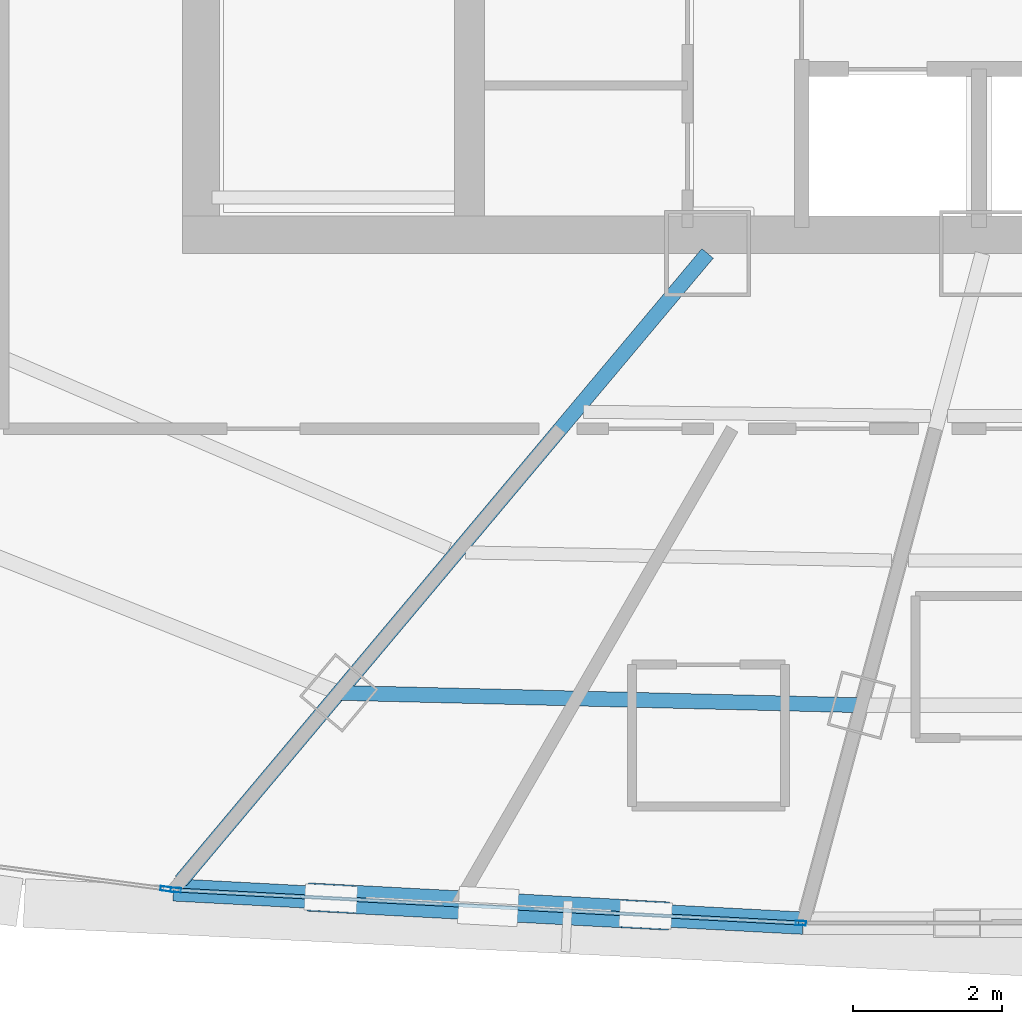
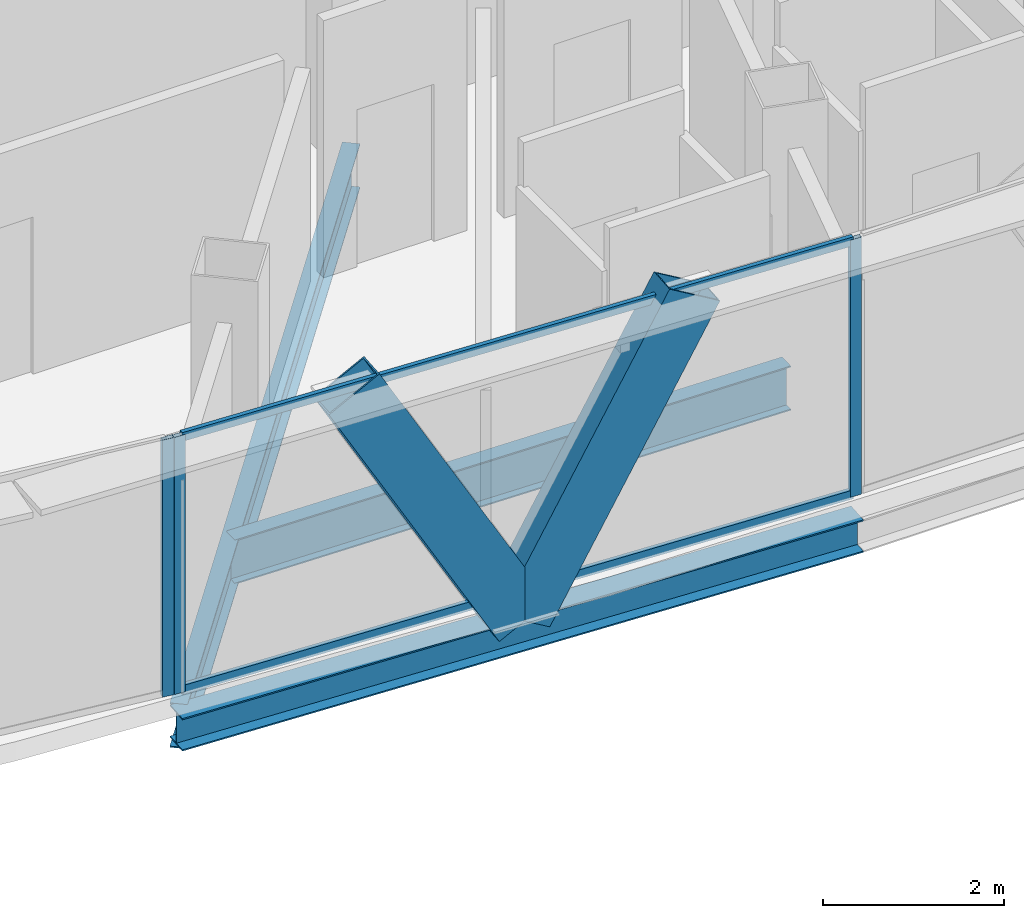
# One storey, part 6 of 37: 7 members, 3 beams, 2 elements without a shape of their own.
"""IFC4 building model written with IfcOpenShell, lengths in metres."""

from ifc_helpers import new_model, si_unit, direction, frame, origin, origin_2d, place, context, subcontext, project, spatial, hollow_rectangle, i_section, extrude, source, transform, mapped, material, layer, layer_set, material_profile, profile_set, type_object, element, aggregate, save


model = new_model("IFC4")

# Units and contexts
model_context = context("Model", 3, precision=1e-05, world=origin(), true_north=direction((0.0, 1.0)))
body_context = subcontext(model_context, "Body", "Model", "MODEL_VIEW")
ifc_project = project(units=[si_unit("LENGTHUNIT", "METRE"), si_unit("AREAUNIT", "SQUARE_METRE"), si_unit("VOLUMEUNIT", "CUBIC_METRE"), si_unit("PLANEANGLEUNIT", "RADIAN"), si_unit("MASSUNIT", "GRAM", prefix="KILO"), si_unit("THERMODYNAMICTEMPERATUREUNIT", "KELVIN"), si_unit("POWERUNIT", "WATT")], contexts=[model_context])

# Site, building, storey
site_placement = place(None, origin())
site = spatial("IfcSite", under=ifc_project, at=site_placement, CompositionType="ELEMENT")
building_placement = place(site_placement, origin())
building = spatial("IfcBuilding", under=site, at=building_placement, Name="Yunzhuo Pagoda Commons", CompositionType="ELEMENT")
storey_placement = place(building_placement, frame((0.0, 0.0, 281.2900390625)))
storey = spatial("IfcBuildingStorey", under=building, at=storey_placement, Name="L70", CompositionType="ELEMENT", Elevation=281.2900390625)

# Beams
ifc_material_1 = material(Name="Structural steel Q355B", Category="steel")
ifc_material_profile_1 = material_profile(ifc_material_1, i_section(OverallWidth=0.300048828125, OverallDepth=0.43994140625, WebThickness=0.010986328125, FlangeThickness=0.01806640625, at=origin_2d()), Name="Structural steel Q355B")
ifc_profile_set_1 = profile_set([ifc_material_profile_1], Name="Structural steel Q355B")
beam_type_1 = type_object("IfcBeamType", Name="B-SP2 Beam HM 440x300x11x18", PredefinedType="BEAM", material=ifc_profile_set_1)
shared_shape_1 = source(origin(), body_context, "Body", "SweptSolid", [
    extrude(i_section(OverallWidth=0.300048828125, OverallDepth=0.43994140625, WebThickness=0.010986328125, FlangeThickness=0.01806640625, at=origin_2d()), origin(), (0.0, 0.0, 1.0), 8.447021484375),
])
beam_1_placement = place(storey_placement, frame((35.431640625, 18.72119140625, -0.47998046875), z_axis=(0.99860638853, -0.05277575947, 0.0), x_axis=(0.05277575947, 0.99860638853, 0.0)))
element("IfcBeam", 1, at=beam_1_placement, inside=storey, type_object=beam_type_1, Name="L70 facade edge spandrel beam F1.1", PredefinedType="BEAM", context=body_context, shape_type="MappedRepresentation", body=[
    mapped(shared_shape_1, transform((0.0, 0.0, 0.0), scale=1.0)),
])
ifc_material_profile_2 = material_profile(ifc_material_1, i_section(OverallWidth=0.199951171875, OverallDepth=0.60009765625, WebThickness=0.010986328125, FlangeThickness=0.01708984375, at=origin_2d()), Name="Structural steel Q355B")
ifc_profile_set_2 = profile_set([ifc_material_profile_2], Name="Structural steel Q355B")
beam_type_2 = type_object("IfcBeamType", Name="B-RG3 Beam HN 600x200x11x17", PredefinedType="BEAM", material=ifc_profile_set_2)
shared_shape_2 = source(origin(), body_context, "Body", "SweptSolid", [
    extrude(i_section(OverallWidth=0.199951171875, OverallDepth=0.60009765625, WebThickness=0.010986328125, FlangeThickness=0.01708984375, at=origin_2d()), origin(), (0.0, 0.0, 1.0), 10.978515625),
])
beam_2_placement = place(storey_placement, frame((35.531005859375, 18.840087890625, -0.559814453125), z_axis=(0.642794591419, 0.766038584695, 0.0), x_axis=(-0.766038584695, 0.642794591419, 0.0)))
element("IfcBeam", 2, at=beam_2_placement, inside=storey, type_object=beam_type_2, Name="L70 radial floor girder F1C1", PredefinedType="BEAM", context=body_context, shape_type="MappedRepresentation", body=[
    mapped(shared_shape_2, transform((0.0, 0.0, 0.0), scale=1.0)),
])
shared_shape_3 = source(origin(), body_context, "Body", "SweptSolid", [
    extrude(i_section(OverallWidth=0.199951171875, OverallDepth=0.60009765625, WebThickness=0.010986328125, FlangeThickness=0.01708984375, at=origin_2d()), origin(), (0.0, 0.0, 1.0), 7.00439453125),
])
beam_3_placement = place(storey_placement, frame((37.64697265625, 21.361572265625, -0.559814453125), z_axis=(0.999719077883, -0.023701588905, 0.0), x_axis=(0.023701588905, 0.999719077883, 0.0)))
element("IfcBeam", 3, at=beam_3_placement, inside=storey, type_object=beam_type_2, Name="L70 column-ring beam 1", PredefinedType="BEAM", context=body_context, shape_type="MappedRepresentation", body=[
    mapped(shared_shape_3, transform((0.0, 0.0, 0.0), scale=1.0)),
])

# Members
ifc_material_profile_3 = material_profile(ifc_material_1, hollow_rectangle(XDim=0.3798828125, YDim=0.719970703125, WallThickness=0.02001953125, at=origin_2d()), Name="Structural steel Q355B")
ifc_profile_set_3 = profile_set([ifc_material_profile_3], Name="Structural steel Q355B")
member_type_1 = type_object("IfcMemberType", Name="M-DL3 Brace BOX 720x380x20", PredefinedType="BRACE", material=ifc_profile_set_3)
shared_shape_4 = source(origin(), body_context, "Body", "SweptSolid", [
    extrude(hollow_rectangle(XDim=0.3798828125, YDim=0.719970703125, WallThickness=0.02001953125, at=origin_2d()), origin(), (0.0, 0.0, 1.0), 4.286376953125),
])
for number, where, z_axis, x_axis, name in (
    (4, (39.649169921875, 18.498291015625, -0.260009765625), (-0.492003866462, 0.025972882971, 0.870205495694), (-0.052716593913, -0.998609513637, 0.0), "L70 facade diamond brace F1.1L"),
    (5, (39.649169921875, 18.498291015625, -0.260009765625), (0.492003137812, -0.026029802498, 0.870204206934), (0.052831878149, 0.998603421109, 0.0), "L70 facade diamond brace F1.1R"),
):
    element("IfcMember", number, at=place(storey_placement, frame(where, z_axis=z_axis, x_axis=x_axis)), inside=storey, type_object=member_type_1, Name=name, PredefinedType="BRACE", context=body_context, shape_type="MappedRepresentation", body=[
        mapped(shared_shape_4, transform((0.0, 0.0, 0.0), scale=1.0)),
    ])

# Curtain wall, members
ifc_material_2 = material(Name="Anodized aluminium 6063-T6", Category="aluminium")
ifc_layer = layer(ifc_material_2, 0.139892578125)
ifc_layer_set = layer_set([ifc_layer], Name="Anodized aluminium 6063-T6")
curtain_wall_type = type_object("IfcCurtainWallType", Name="CW-HI High-Zone Ribbon Curtain Wall", PredefinedType="NOTDEFINED", material=ifc_layer_set)
curtain_wall_1_placement = place(storey_placement, origin())
curtain_wall_1 = element("IfcCurtainWall", 6, at=curtain_wall_1_placement, inside=storey, type_object=curtain_wall_type, Name="L70 curtain wall CW-L70-F1B2", PredefinedType="NOTDEFINED")
ifc_material_profile_4 = material_profile(ifc_material_2, hollow_rectangle(XDim=0.06005859375, YDim=0.139892578125, WallThickness=0.00341796875, at=origin_2d()), Name="Anodized aluminium 6063-T6")
ifc_profile_set_4 = profile_set([ifc_material_profile_4], Name="Anodized aluminium 6063-T6")
member_type_2 = type_object("IfcMemberType", Name="CW-HI-M Mullion RHS 140x60x3.5", PredefinedType="MULLION", material=ifc_profile_set_4)
shared_shape_5 = source(origin(), body_context, "Body", "SweptSolid", [
    extrude(hollow_rectangle(XDim=0.06005859375, YDim=0.139892578125, WallThickness=0.00341796875, at=origin_2d()), origin(), (0.0, 0.0, 1.0), 3.469970703125),
])
member_1_placement = place(storey_placement, frame((35.46142578125, 18.7197265625, 0.0), z_axis=(0.0, 0.0, 1.0), x_axis=(0.052821657014, 0.998603961814, 0.0)))
member_1 = element("IfcMember", 7, at=member_1_placement, type_object=member_type_2, Name="CW mullion 1", PredefinedType="MULLION", context=body_context, shape_type="MappedRepresentation", body=[
    mapped(shared_shape_5, transform((0.0, 0.0, 0.0), scale=1.0)),
])
member_2_placement = place(storey_placement, frame((43.8369140625, 18.276611328125, 0.0), z_axis=(0.0, 0.0, 1.0), x_axis=(0.052821657014, 0.998603961814, 0.0)))
member_2 = element("IfcMember", 8, at=member_2_placement, type_object=member_type_2, Name="CW mullion 2", PredefinedType="MULLION", context=body_context, shape_type="MappedRepresentation", body=[
    mapped(shared_shape_5, transform((0.0, 0.0, 0.0), scale=1.0)),
])

# Curtain wall, member
curtain_wall_2_placement = place(storey_placement, origin())
curtain_wall_2 = element("IfcCurtainWall", 9, at=curtain_wall_2_placement, inside=storey, type_object=curtain_wall_type, Name="L70 curtain wall CW-L70-F1B1", PredefinedType="NOTDEFINED")
member_3_placement = place(storey_placement, frame((35.3271484375, 18.735107421875, 0.0), z_axis=(0.0, 0.0, 1.0), x_axis=(0.131311416098, 0.991341168318, 0.0)))
member_3 = element("IfcMember", 10, at=member_3_placement, type_object=member_type_2, Name="CW mullion 2", PredefinedType="MULLION", context=body_context, shape_type="MappedRepresentation", body=[
    mapped(shared_shape_5, transform((0.0, 0.0, 0.0), scale=1.0)),
])
aggregate(curtain_wall_2, [member_3])

# Member
ifc_material_profile_5 = material_profile(ifc_material_2, hollow_rectangle(XDim=0.054931640625, YDim=0.1201171875, WallThickness=0.00341796875, at=origin_2d()), Name="Anodized aluminium 6063-T6")
ifc_profile_set_5 = profile_set([ifc_material_profile_5], Name="Anodized aluminium 6063-T6")
member_type_3 = type_object("IfcMemberType", Name="CW-HI-T Transom RHS 120x55x3.5", PredefinedType="USERDEFINED", material=ifc_profile_set_5)
shared_shape_6 = source(origin(), body_context, "Body", "SweptSolid", [
    extrude(hollow_rectangle(XDim=0.054931640625, YDim=0.1201171875, WallThickness=0.00341796875, at=origin_2d()), origin(), (0.0, 0.0, 1.0), 8.327392578125),
])
member_4_placement = place(storey_placement, frame((35.4912109375, 18.718017578125, 0.02734375), z_axis=(0.998605003422, -0.052801961515, 0.0), x_axis=(0.052801961515, 0.998605003422, 0.0)))
member_4 = element("IfcMember", 11, at=member_4_placement, type_object=member_type_3, Name="CW transom 1.1", ObjectType="TRANSOM", PredefinedType="USERDEFINED", context=body_context, shape_type="MappedRepresentation", body=[
    mapped(shared_shape_6, transform((0.0, 0.0, 0.0), scale=1.0)),
])

member_5_placement = place(storey_placement, frame((35.4912109375, 18.718017578125, 3.4423828125), z_axis=(0.998605003422, -0.052801961515, 0.0), x_axis=(0.052801961515, 0.998605003422, 0.0)))
member_5 = element("IfcMember", 12, at=member_5_placement, type_object=member_type_3, Name="CW transom 1.2", ObjectType="TRANSOM", PredefinedType="USERDEFINED", context=body_context, shape_type="MappedRepresentation", body=[
    mapped(shared_shape_6, transform((0.0, 0.0, 0.0), scale=1.0)),
])

aggregate(curtain_wall_1, [member_1, member_2, member_4, member_5])

save(model, "model.ifc")
